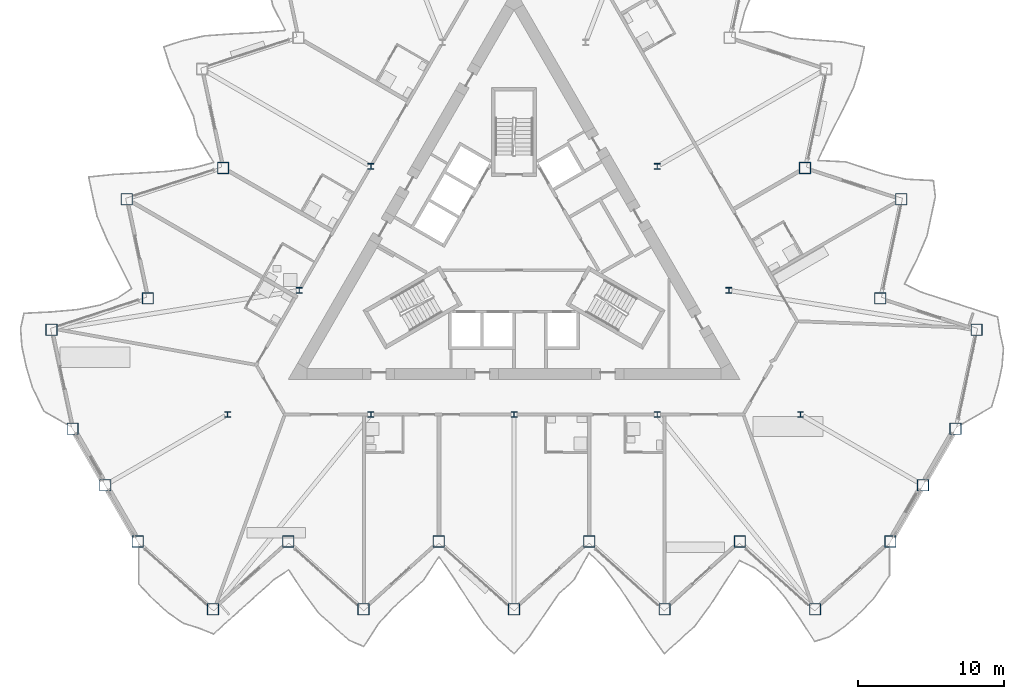
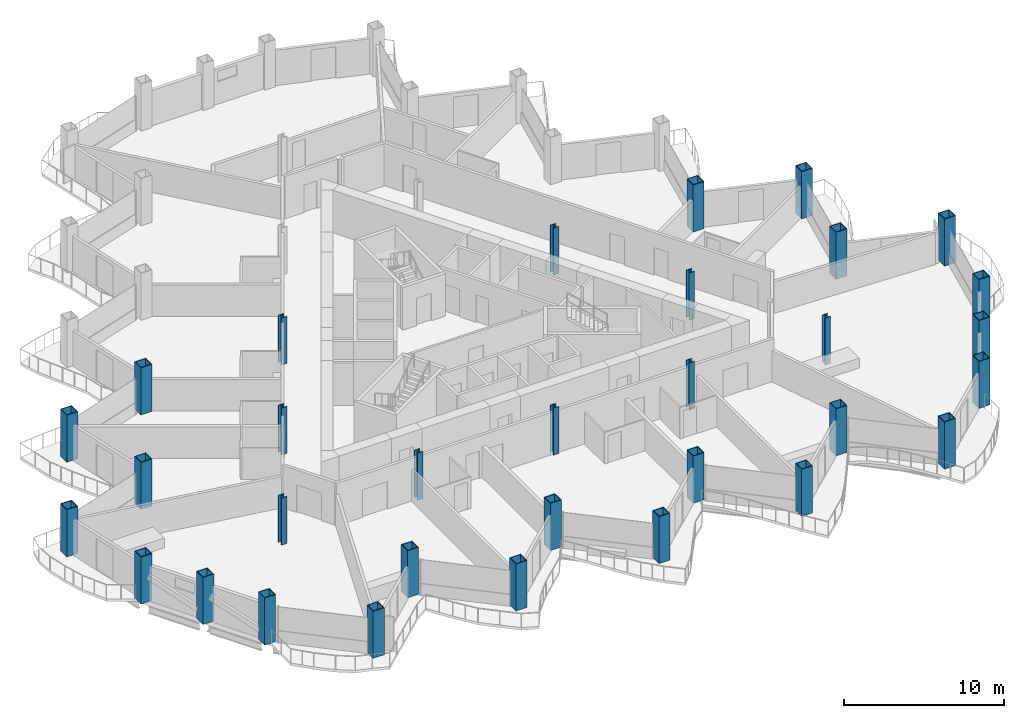
# One storey, part 1 of 23: 32 columns.
"""IFC4 building model written with IfcOpenShell, lengths in metres."""

from ifc_helpers import new_model, si_unit, direction, frame, origin, origin_2d, place, context, subcontext, project, spatial, hollow_rectangle, i_section, extrude, material, material_profile, profile_set, type_object, element, save


model = new_model("IFC4")

# Units and contexts
model_context = context("Model", 3, precision=1e-05, world=origin(), true_north=direction((0.0, 1.0)))
body_context = subcontext(model_context, "Body", "Model", "MODEL_VIEW")
ifc_project = project(units=[si_unit("LENGTHUNIT", "METRE"), si_unit("AREAUNIT", "SQUARE_METRE"), si_unit("VOLUMEUNIT", "CUBIC_METRE"), si_unit("PLANEANGLEUNIT", "RADIAN"), si_unit("MASSUNIT", "GRAM", prefix="KILO")], contexts=[model_context])

# Site, building, storey
site_placement = place(None, origin())
site = spatial("IfcSite", under=ifc_project, at=site_placement, CompositionType="ELEMENT")
building_placement = place(site_placement, origin())
building = spatial("IfcBuilding", under=site, at=building_placement, Name="Cormorant Prow Tower", CompositionType="ELEMENT")
storey_placement = place(building_placement, frame((0.0, 0.0, 212.39990234375)))
storey = spatial("IfcBuildingStorey", under=building, at=storey_placement, Name="L47", CompositionType="ELEMENT", Elevation=212.39990234375)

# Columns
ifc_material_1 = material(Name="Structural steel ASTM A572 Gr 50", Category="steel")
ifc_material_profile_1 = material_profile(ifc_material_1, hollow_rectangle(XDim=0.800048828125, YDim=0.800048828125, WallThickness=0.050048828125, at=origin_2d()), Name="Box 800x800x50")
ifc_profile_set_1 = profile_set([ifc_material_profile_1], Name="Structural steel ASTM A572 Gr 50")
column_type_1 = type_object("IfcColumnType", Name="Perimeter box column 800x800x50", PredefinedType="COLUMN", material=ifc_profile_set_1)
for number, where, z_axis, x_axis, name in (
    (1, (-25.823486328125, -20.0712890625, 0.0), (0.0, 0.0, 1.0), (1.0, 0.0, 0.0), "Perimeter column C4 at S00 L47"),
    (2, (-20.658935546875, -24.7216796875, 0.0), (0.0, 0.0, 1.0), (1.0, 0.0, 0.0), "Perimeter column C4 at S01 L47"),
    (3, (-15.494140625, -20.0712890625, 0.0), (0.0, 0.0, 1.0), (1.0, 0.0, 0.0), "Perimeter column C4 at S02 L47"),
    (4, (-10.329345703125, -24.7216796875, 0.0), (0.0, 0.0, 1.0), (1.0, 0.0, 0.0), "Perimeter column C4 at S03 L47"),
    (5, (-5.164794921875, -20.0712890625, 0.0), (0.0, 0.0, 1.0), (1.0, 0.0, 0.0), "Perimeter column C4 at S04 L47"),
    (6, (0.0, -24.7216796875, 0.0), (0.0, 0.0, 1.0), (1.0, 0.0, 0.0), "Perimeter column C4 at S05 L47"),
    (7, (5.164794921875, -20.0712890625, 0.0), (0.0, 0.0, 1.0), (1.0, 0.0, 0.0), "Perimeter column C4 at S06 L47"),
    (8, (10.329345703125, -24.7216796875, 0.0), (0.0, 0.0, 1.0), (1.0, 0.0, 0.0), "Perimeter column C4 at S07 L47"),
    (9, (15.494140625, -20.0712890625, 0.0), (0.0, 0.0, 1.0), (1.0, 0.0, 0.0), "Perimeter column C4 at S08 L47"),
    (10, (20.658935546875, -24.7216796875, 0.0), (0.0, 0.0, 1.0), (1.0, 0.0, 0.0), "Perimeter column C4 at S09 L47"),
    (11, (25.823486328125, -20.0712890625, 0.0), (0.0, 0.0, 1.0), (1.0, 0.0, 0.0), "Perimeter column C4 at ESE00 L47"),
    (12, (28.058837890625, -16.19970703125, 0.0), (0.0, 0.0, 1.0), (1.0, 0.0, 0.0), "Perimeter column C4 at ESE01 L47"),
    (13, (30.2939453125, -12.328369140625, 0.0), (0.0, 0.0, 1.0), (1.0, 0.0, 0.0), "Perimeter column C4 at ENE00 L47"),
    (14, (31.739013671875, -5.5302734375, 0.0), (0.0, 0.0, 1.0), (1.0, 0.0, 0.0), "Perimeter column C4 at ENE01 L47"),
    (15, (25.12939453125, -3.3828125, 0.0), (0.0, 0.0, 1.0), (1.0, 0.0, 0.0), "Perimeter column C4 at ENE02 L47"),
    (16, (26.57421875, 3.415283203125, 0.0), (0.0, 0.0, 1.0), (1.0, 0.0, 0.0), "Perimeter column C4 at ENE03 L47"),
    (17, (19.964599609375, 5.562744140625, 0.0), (0.0, 0.0, 1.0), (1.0, 0.0, 0.0), "Perimeter column C4 at ENE04 L47"),
    (18, (-19.964599609375, 5.562744140625, 0.0), (0.0, 0.0, 1.0), (1.0, 0.0, 0.0), "Perimeter column C4 at WNW06 L47"),
    (19, (-26.57421875, 3.415283203125, 0.0), (0.0, 0.0, 1.0), (1.0, 0.0, 0.0), "Perimeter column C4 at WNW07 L47"),
    (20, (-25.12939453125, -3.3828125, 0.0), (0.0, 0.0, 1.0), (1.0, 0.0, 0.0), "Perimeter column C4 at WNW08 L47"),
    (21, (-31.739013671875, -5.5302734375, 0.0), (0.0, 0.0, 1.0), (1.0, 0.0, 0.0), "Perimeter column C4 at WNW09 L47"),
    (22, (-30.2939453125, -12.328369140625, 0.0), (0.0, 0.0, 1.0), (1.0, 0.0, 0.0), "Perimeter column C4 at WSW00 L47"),
    (23, (-28.058837890625, -16.19970703125, 0.0), (0.0, 0.0, 1.0), (1.0, 0.0, 0.0), "Perimeter column C4 at WSW01 L47"),
):
    element("IfcColumn", number, at=place(storey_placement, frame(where, z_axis=z_axis, x_axis=x_axis)), inside=storey, type_object=column_type_1, Name=name, PredefinedType="COLUMN", context=body_context, shape_type="SweptSolid", body=[
        extrude(hollow_rectangle(XDim=0.800048828125, YDim=0.800048828125, WallThickness=0.050048828125, at=origin_2d()), origin(), (0.0, 0.0, 1.0), 3.60009765625),
    ])
ifc_material_2 = material(Name="Structural steel ASTM A992 Gr 50", Category="steel")
ifc_material_profile_2 = material_profile(ifc_material_2, i_section(OverallWidth=0.403564453125, OverallDepth=0.407470703125, WebThickness=0.027099609375, FlangeThickness=0.043701171875, at=origin_2d()), Name="W14x233")
ifc_profile_set_2 = profile_set([ifc_material_profile_2], Name="Structural steel ASTM A992 Gr 50")
column_type_2 = type_object("IfcColumnType", Name="Ring column W14x233", PredefinedType="COLUMN", material=ifc_profile_set_2)
for number, where, z_axis, x_axis, name in (
    (24, (-9.828369140625, 5.674560546875, 0.0), (0.0, 0.0, 1.0), (1.0, 0.0, 0.0), "Ring column 3 L47"),
    (25, (-14.74267578125, -2.837158203125, 0.0), (0.0, 0.0, 1.0), (1.0, 0.0, 0.0), "Ring column 4 L47"),
    (26, (-19.656982421875, -11.348876953125, 0.0), (0.0, 0.0, 1.0), (1.0, 0.0, 0.0), "Ring column 5 L47"),
    (27, (-9.828369140625, -11.348876953125, 0.0), (0.0, 0.0, 1.0), (1.0, 0.0, 0.0), "Ring column 6 L47"),
    (28, (0.0, -11.348876953125, 0.0), (0.0, 0.0, 1.0), (1.0, 0.0, 0.0), "Ring column 7 L47"),
    (29, (9.828369140625, -11.348876953125, 0.0), (0.0, 0.0, 1.0), (1.0, 0.0, 0.0), "Ring column 8 L47"),
    (30, (19.656982421875, -11.348876953125, 0.0), (0.0, 0.0, 1.0), (1.0, 0.0, 0.0), "Ring column 9 L47"),
    (31, (14.74267578125, -2.837158203125, 0.0), (0.0, 0.0, 1.0), (1.0, 0.0, 0.0), "Ring column 10 L47"),
    (32, (9.828369140625, 5.674560546875, 0.0), (0.0, 0.0, 1.0), (1.0, 0.0, 0.0), "Ring column 11 L47"),
):
    element("IfcColumn", number, at=place(storey_placement, frame(where, z_axis=z_axis, x_axis=x_axis)), inside=storey, type_object=column_type_2, Name=name, PredefinedType="COLUMN", context=body_context, shape_type="SweptSolid", body=[
        extrude(i_section(OverallWidth=0.403564453125, OverallDepth=0.407470703125, WebThickness=0.027099609375, FlangeThickness=0.043701171875, at=origin_2d()), origin(), (0.0, 0.0, 1.0), 3.60009765625),
    ])

save(model, "model.ifc")
